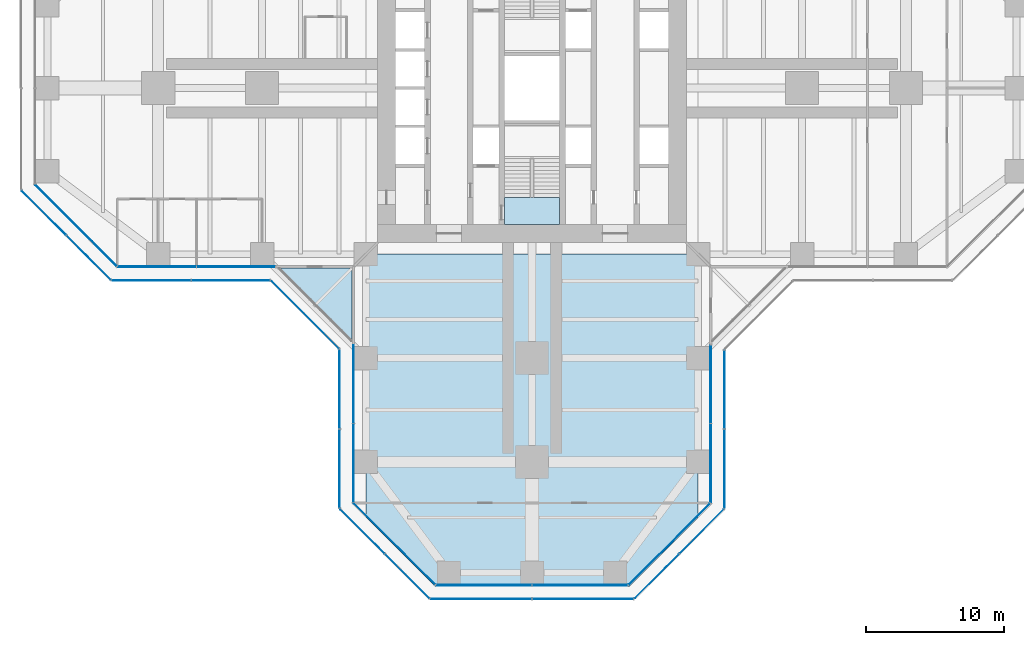
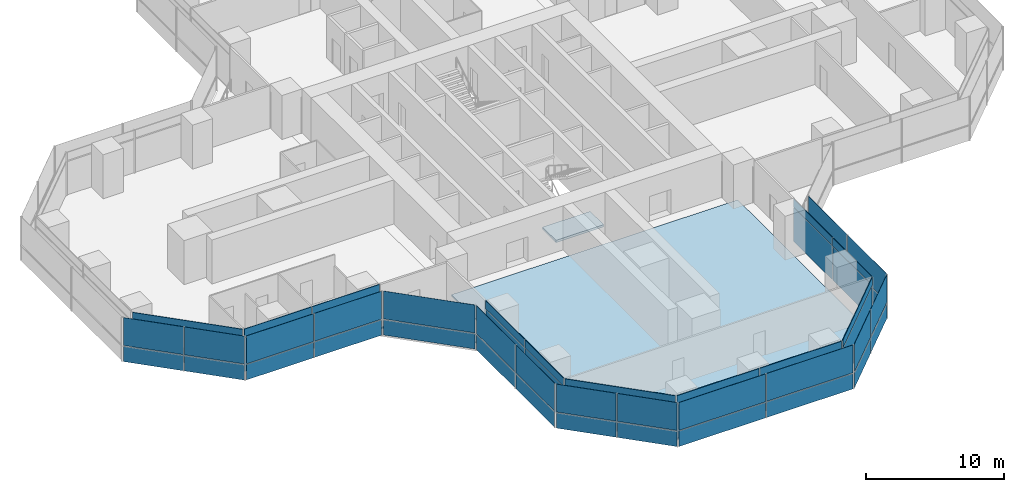
# One storey, part 14 of 22: 52 plates, 3 slabs, 16 elements without a shape of their own.
"""IFC4 building model written with IfcOpenShell, lengths in metres."""

from ifc_helpers import new_model, si_unit, direction, frame, origin, origin_2d, place, context, subcontext, project, spatial, polyline, rectangle, outline, extrude, material, layer, layer_set, type_object, element, aggregate, save


model = new_model("IFC4")

# Units and contexts
model_context = context("Model", 3, precision=1e-05, world=origin(), true_north=direction((0.0, 1.0)))
body_context = subcontext(model_context, "Body", "Model", "MODEL_VIEW")
ifc_project = project(units=[si_unit("LENGTHUNIT", "METRE"), si_unit("AREAUNIT", "SQUARE_METRE"), si_unit("VOLUMEUNIT", "CUBIC_METRE"), si_unit("PLANEANGLEUNIT", "RADIAN"), si_unit("MASSUNIT", "GRAM", prefix="KILO")], contexts=[model_context])

# Site, building, storey
site_placement = place(None, origin())
site = spatial("IfcSite", under=ifc_project, at=site_placement, CompositionType="ELEMENT")
building_placement = place(site_placement, origin())
building = spatial("IfcBuilding", under=site, at=building_placement, Name="Mizan Broadcast Tower", CompositionType="ELEMENT")
storey_placement = place(building_placement, frame((0.0, 0.0, 74.699951171875)))
storey = spatial("IfcBuildingStorey", under=building, at=storey_placement, Name="L15", CompositionType="ELEMENT", Elevation=74.699951171875)

# Slab
ifc_material_1 = material(Name="Concrete C32/40", Category="concrete")
ifc_layer_1 = layer(ifc_material_1, 0.1298828125)
ifc_layer_set_1 = layer_set([ifc_layer_1], Name="Concrete C32/40")
slab_type_1 = type_object("IfcSlabType", Name="COMPOSITE DECK SLAB 130", PredefinedType="FLOOR", material=ifc_layer_set_1)
slab_1_placement = place(storey_placement, frame((0.0, 0.0, -0.1298828125)))
element("IfcSlab", 1, at=slab_1_placement, inside=storey, type_object=slab_type_1, Name="Floor slab L15 south arm", PredefinedType="FLOOR", context=body_context, shape_type="SweptSolid", body=[
    extrude(outline(polyline([(7.0, -36.0), (12.0, -31.0), (12.0, -12.0), (-12.0, -12.0), (-12.0, -31.0), (-7.0, -36.0), (7.0, -36.0)])), origin(), (0.0, 0.0, 1.0), 0.1298828125),
])

# Curtain wall, plate
ifc_material_2 = material(Name="Aluminium framed glazing", Category="aluminium")
curtain_wall_type_1 = type_object("IfcCurtainWallType", Name="INNER SKIN LOW ZONE", PredefinedType="USERDEFINED", material=ifc_material_2)
curtain_wall_1_placement = place(storey_placement, origin())
curtain_wall_1 = element("IfcCurtainWall", 2, at=curtain_wall_1_placement, inside=storey, type_object=curtain_wall_type_1, Name="Inner skin low zone L15 W chamfer", ObjectType="INNER SKIN LOW ZONE", PredefinedType="USERDEFINED")
ifc_material_3 = material(Name="Double glazing, clear low-e", Category="glass")
ifc_layer_2 = layer(ifc_material_3, 0.028076171875)
ifc_layer_set_2 = layer_set([ifc_layer_2], Name="Double glazing, clear low-e")
plate_type_1 = type_object("IfcPlateType", Name="INNER SKIN GLAZING UNIT", PredefinedType="CURTAIN_PANEL", material=ifc_layer_set_2)
plate_1_placement = place(storey_placement, frame((-32.92919921875, -9.92919921875, 0.0), z_axis=(0.0, 0.0, 1.0), x_axis=(0.707106781187, -0.707106781187, 0.0)))
plate_1 = element("IfcPlate", 3, at=plate_1_placement, type_object=plate_type_1, Name="Inner skin low zone L15 W chamfer panel 1.1", PredefinedType="CURTAIN_PANEL", context=body_context, shape_type="SweptSolid", body=[
    extrude(rectangle(XDim=8.282470703125, YDim=0.028076171875, at=origin_2d()), origin(), (0.0, 0.0, 1.0), 3.0),
])

# Curtain wall, plates
curtain_wall_2_placement = place(storey_placement, origin())
curtain_wall_2 = element("IfcCurtainWall", 4, at=curtain_wall_2_placement, inside=storey, type_object=curtain_wall_type_1, Name="Inner skin low zone L15 W side", ObjectType="INNER SKIN LOW ZONE", PredefinedType="USERDEFINED")
plate_2_placement = place(storey_placement, frame((-27.078857421875, -12.89990234375, 0.0), z_axis=(0.0, 0.0, 1.0), x_axis=(1.0, 0.0, 0.0)))
plate_2 = element("IfcPlate", 5, at=plate_2_placement, type_object=plate_type_1, Name="Inner skin low zone L15 W side panel 1.1", PredefinedType="CURTAIN_PANEL", context=body_context, shape_type="SweptSolid", body=[
    extrude(rectangle(XDim=5.639404296875, YDim=0.028076171875, at=origin_2d()), origin(), (0.0, 0.0, 1.0), 3.0),
])
plate_3_placement = place(storey_placement, frame((-21.379638671875, -12.89990234375, 0.0), z_axis=(0.0, 0.0, 1.0), x_axis=(1.0, 0.0, 0.0)))
plate_3 = element("IfcPlate", 6, at=plate_3_placement, type_object=plate_type_1, Name="Inner skin low zone L15 W side panel 2.1", PredefinedType="CURTAIN_PANEL", context=body_context, shape_type="SweptSolid", body=[
    extrude(rectangle(XDim=5.639404296875, YDim=0.028076171875, at=origin_2d()), origin(), (0.0, 0.0, 1.0), 3.0),
])

curtain_wall_3_placement = place(storey_placement, origin())
curtain_wall_3 = element("IfcCurtainWall", 7, at=curtain_wall_3_placement, inside=storey, type_object=curtain_wall_type_1, Name="Inner skin low zone L15 S side", ObjectType="INNER SKIN LOW ZONE", PredefinedType="USERDEFINED")
plate_4_placement = place(storey_placement, frame((-12.89990234375, -21.379638671875, 0.0), z_axis=(0.0, 0.0, 1.0), x_axis=(0.0, -1.0, 0.0)))
plate_4 = element("IfcPlate", 8, at=plate_4_placement, type_object=plate_type_1, Name="Inner skin low zone L15 S side panel 1.1", PredefinedType="CURTAIN_PANEL", context=body_context, shape_type="SweptSolid", body=[
    extrude(rectangle(XDim=5.639404296875, YDim=0.028076171875, at=origin_2d()), origin(), (0.0, 0.0, 1.0), 3.0),
])
plate_5_placement = place(storey_placement, frame((-12.89990234375, -27.078857421875, 0.0), z_axis=(0.0, 0.0, 1.0), x_axis=(0.0, -1.0, 0.0)))
plate_5 = element("IfcPlate", 9, at=plate_5_placement, type_object=plate_type_1, Name="Inner skin low zone L15 S side panel 2.1", PredefinedType="CURTAIN_PANEL", context=body_context, shape_type="SweptSolid", body=[
    extrude(rectangle(XDim=5.639404296875, YDim=0.028076171875, at=origin_2d()), origin(), (0.0, 0.0, 1.0), 3.0),
])

# Curtain wall, plate
curtain_wall_4_placement = place(storey_placement, origin())
curtain_wall_4 = element("IfcCurtainWall", 10, at=curtain_wall_4_placement, inside=storey, type_object=curtain_wall_type_1, Name="Inner skin low zone L15 S chamfer", ObjectType="INNER SKIN LOW ZONE", PredefinedType="USERDEFINED")
plate_6_placement = place(storey_placement, frame((-9.92919921875, -32.92919921875, 0.0), z_axis=(0.0, 0.0, 1.0), x_axis=(0.707106781187, -0.707106781187, 0.0)))
plate_6 = element("IfcPlate", 11, at=plate_6_placement, type_object=plate_type_1, Name="Inner skin low zone L15 S chamfer panel 1.1", PredefinedType="CURTAIN_PANEL", context=body_context, shape_type="SweptSolid", body=[
    extrude(rectangle(XDim=8.282470703125, YDim=0.028076171875, at=origin_2d()), origin(), (0.0, 0.0, 1.0), 3.0),
])

# Curtain wall, plates
curtain_wall_5_placement = place(storey_placement, origin())
curtain_wall_5 = element("IfcCurtainWall", 12, at=curtain_wall_5_placement, inside=storey, type_object=curtain_wall_type_1, Name="Inner skin low zone L15 S end", ObjectType="INNER SKIN LOW ZONE", PredefinedType="USERDEFINED")
plate_7_placement = place(storey_placement, frame((-3.46435546875, -35.89990234375, 0.0), z_axis=(0.0, 0.0, 1.0), x_axis=(1.0, 0.0, 0.0)))
plate_7 = element("IfcPlate", 13, at=plate_7_placement, type_object=plate_type_1, Name="Inner skin low zone L15 S end panel 1.1", PredefinedType="CURTAIN_PANEL", context=body_context, shape_type="SweptSolid", body=[
    extrude(rectangle(XDim=6.86865234375, YDim=0.028076171875, at=origin_2d()), origin(), (0.0, 0.0, 1.0), 3.0),
])
plate_8_placement = place(storey_placement, frame((3.46435546875, -35.89990234375, 0.0), z_axis=(0.0, 0.0, 1.0), x_axis=(1.0, 0.0, 0.0)))
plate_8 = element("IfcPlate", 14, at=plate_8_placement, type_object=plate_type_1, Name="Inner skin low zone L15 S end panel 2.1", PredefinedType="CURTAIN_PANEL", context=body_context, shape_type="SweptSolid", body=[
    extrude(rectangle(XDim=6.86865234375, YDim=0.028076171875, at=origin_2d()), origin(), (0.0, 0.0, 1.0), 3.0),
])

# Curtain wall, plate
curtain_wall_6_placement = place(storey_placement, origin())
curtain_wall_6 = element("IfcCurtainWall", 15, at=curtain_wall_6_placement, inside=storey, type_object=curtain_wall_type_1, Name="Inner skin low zone L15 S chamfer", ObjectType="INNER SKIN LOW ZONE", PredefinedType="USERDEFINED")
plate_9_placement = place(storey_placement, frame((9.92919921875, -32.92919921875, 0.0), z_axis=(0.0, 0.0, 1.0), x_axis=(0.707106781187, 0.707106781187, 0.0)))
plate_9 = element("IfcPlate", 16, at=plate_9_placement, type_object=plate_type_1, Name="Inner skin low zone L15 S chamfer panel 1.1", PredefinedType="CURTAIN_PANEL", context=body_context, shape_type="SweptSolid", body=[
    extrude(rectangle(XDim=8.282470703125, YDim=0.028076171875, at=origin_2d()), origin(), (0.0, 0.0, 1.0), 3.0),
])

# Curtain wall, plates
curtain_wall_7_placement = place(storey_placement, origin())
curtain_wall_7 = element("IfcCurtainWall", 17, at=curtain_wall_7_placement, inside=storey, type_object=curtain_wall_type_1, Name="Inner skin low zone L15 S side", ObjectType="INNER SKIN LOW ZONE", PredefinedType="USERDEFINED")
plate_10_placement = place(storey_placement, frame((12.89990234375, -27.078857421875, 0.0), z_axis=(0.0, 0.0, 1.0), x_axis=(0.0, 1.0, 0.0)))
plate_10 = element("IfcPlate", 18, at=plate_10_placement, type_object=plate_type_1, Name="Inner skin low zone L15 S side panel 1.1", PredefinedType="CURTAIN_PANEL", context=body_context, shape_type="SweptSolid", body=[
    extrude(rectangle(XDim=5.639404296875, YDim=0.028076171875, at=origin_2d()), origin(), (0.0, 0.0, 1.0), 3.0),
])
plate_11_placement = place(storey_placement, frame((12.89990234375, -21.379638671875, 0.0), z_axis=(0.0, 0.0, 1.0), x_axis=(0.0, 1.0, 0.0)))
plate_11 = element("IfcPlate", 19, at=plate_11_placement, type_object=plate_type_1, Name="Inner skin low zone L15 S side panel 2.1", PredefinedType="CURTAIN_PANEL", context=body_context, shape_type="SweptSolid", body=[
    extrude(rectangle(XDim=5.639404296875, YDim=0.028076171875, at=origin_2d()), origin(), (0.0, 0.0, 1.0), 3.0),
])

# Plate
ifc_material_4 = material(Name="Insulated aluminium spandrel panel, pale anodised", Category="aluminium")
ifc_layer_3 = layer(ifc_material_4, 0.050048828125)
ifc_layer_set_3 = layer_set([ifc_layer_3], Name="Insulated aluminium spandrel panel, pale anodised")
plate_type_2 = type_object("IfcPlateType", Name="INNER SKIN SPANDREL PANEL", PredefinedType="CURTAIN_PANEL", material=ifc_layer_set_3)
plate_12_placement = place(storey_placement, frame((-32.92919921875, -9.92919921875, 3.06005859375), z_axis=(0.0, 0.0, 1.0), x_axis=(0.707106781187, -0.707106781187, 0.0)))
plate_12 = element("IfcPlate", 20, at=plate_12_placement, type_object=plate_type_2, Name="Inner skin low zone L15 W chamfer panel 1.2", PredefinedType="CURTAIN_PANEL", context=body_context, shape_type="SweptSolid", body=[
    extrude(rectangle(XDim=8.282470703125, YDim=0.050048828125, at=origin_2d()), origin(), (0.0, 0.0, 1.0), 0.7099609375),
])

aggregate(curtain_wall_1, [plate_1, plate_12])

plate_13_placement = place(storey_placement, frame((-27.078857421875, -12.89990234375, 3.06005859375), z_axis=(0.0, 0.0, 1.0), x_axis=(1.0, 0.0, 0.0)))
plate_13 = element("IfcPlate", 21, at=plate_13_placement, type_object=plate_type_2, Name="Inner skin low zone L15 W side panel 1.2", PredefinedType="CURTAIN_PANEL", context=body_context, shape_type="SweptSolid", body=[
    extrude(rectangle(XDim=5.639404296875, YDim=0.050048828125, at=origin_2d()), origin(), (0.0, 0.0, 1.0), 0.7099609375),
])

plate_14_placement = place(storey_placement, frame((-21.379638671875, -12.89990234375, 3.06005859375), z_axis=(0.0, 0.0, 1.0), x_axis=(1.0, 0.0, 0.0)))
plate_14 = element("IfcPlate", 22, at=plate_14_placement, type_object=plate_type_2, Name="Inner skin low zone L15 W side panel 2.2", PredefinedType="CURTAIN_PANEL", context=body_context, shape_type="SweptSolid", body=[
    extrude(rectangle(XDim=5.639404296875, YDim=0.050048828125, at=origin_2d()), origin(), (0.0, 0.0, 1.0), 0.7099609375),
])

aggregate(curtain_wall_2, [plate_2, plate_13, plate_3, plate_14])

plate_15_placement = place(storey_placement, frame((-12.89990234375, -21.379638671875, 3.06005859375), z_axis=(0.0, 0.0, 1.0), x_axis=(0.0, -1.0, 0.0)))
plate_15 = element("IfcPlate", 23, at=plate_15_placement, type_object=plate_type_2, Name="Inner skin low zone L15 S side panel 1.2", PredefinedType="CURTAIN_PANEL", context=body_context, shape_type="SweptSolid", body=[
    extrude(rectangle(XDim=5.639404296875, YDim=0.050048828125, at=origin_2d()), origin(), (0.0, 0.0, 1.0), 0.7099609375),
])

plate_16_placement = place(storey_placement, frame((-12.89990234375, -27.078857421875, 3.06005859375), z_axis=(0.0, 0.0, 1.0), x_axis=(0.0, -1.0, 0.0)))
plate_16 = element("IfcPlate", 24, at=plate_16_placement, type_object=plate_type_2, Name="Inner skin low zone L15 S side panel 2.2", PredefinedType="CURTAIN_PANEL", context=body_context, shape_type="SweptSolid", body=[
    extrude(rectangle(XDim=5.639404296875, YDim=0.050048828125, at=origin_2d()), origin(), (0.0, 0.0, 1.0), 0.7099609375),
])

aggregate(curtain_wall_3, [plate_4, plate_15, plate_5, plate_16])

plate_17_placement = place(storey_placement, frame((-9.92919921875, -32.92919921875, 3.06005859375), z_axis=(0.0, 0.0, 1.0), x_axis=(0.707106781187, -0.707106781187, 0.0)))
plate_17 = element("IfcPlate", 25, at=plate_17_placement, type_object=plate_type_2, Name="Inner skin low zone L15 S chamfer panel 1.2", PredefinedType="CURTAIN_PANEL", context=body_context, shape_type="SweptSolid", body=[
    extrude(rectangle(XDim=8.282470703125, YDim=0.050048828125, at=origin_2d()), origin(), (0.0, 0.0, 1.0), 0.7099609375),
])

aggregate(curtain_wall_4, [plate_6, plate_17])

plate_18_placement = place(storey_placement, frame((-3.46435546875, -35.89990234375, 3.06005859375), z_axis=(0.0, 0.0, 1.0), x_axis=(1.0, 0.0, 0.0)))
plate_18 = element("IfcPlate", 26, at=plate_18_placement, type_object=plate_type_2, Name="Inner skin low zone L15 S end panel 1.2", PredefinedType="CURTAIN_PANEL", context=body_context, shape_type="SweptSolid", body=[
    extrude(rectangle(XDim=6.86865234375, YDim=0.050048828125, at=origin_2d()), origin(), (0.0, 0.0, 1.0), 0.7099609375),
])

plate_19_placement = place(storey_placement, frame((3.46435546875, -35.89990234375, 3.06005859375), z_axis=(0.0, 0.0, 1.0), x_axis=(1.0, 0.0, 0.0)))
plate_19 = element("IfcPlate", 27, at=plate_19_placement, type_object=plate_type_2, Name="Inner skin low zone L15 S end panel 2.2", PredefinedType="CURTAIN_PANEL", context=body_context, shape_type="SweptSolid", body=[
    extrude(rectangle(XDim=6.86865234375, YDim=0.050048828125, at=origin_2d()), origin(), (0.0, 0.0, 1.0), 0.7099609375),
])

aggregate(curtain_wall_5, [plate_7, plate_18, plate_8, plate_19])

plate_20_placement = place(storey_placement, frame((9.92919921875, -32.92919921875, 3.06005859375), z_axis=(0.0, 0.0, 1.0), x_axis=(0.707106781187, 0.707106781187, 0.0)))
plate_20 = element("IfcPlate", 28, at=plate_20_placement, type_object=plate_type_2, Name="Inner skin low zone L15 S chamfer panel 1.2", PredefinedType="CURTAIN_PANEL", context=body_context, shape_type="SweptSolid", body=[
    extrude(rectangle(XDim=8.282470703125, YDim=0.050048828125, at=origin_2d()), origin(), (0.0, 0.0, 1.0), 0.7099609375),
])

aggregate(curtain_wall_6, [plate_9, plate_20])

plate_21_placement = place(storey_placement, frame((12.89990234375, -27.078857421875, 3.06005859375), z_axis=(0.0, 0.0, 1.0), x_axis=(0.0, 1.0, 0.0)))
plate_21 = element("IfcPlate", 29, at=plate_21_placement, type_object=plate_type_2, Name="Inner skin low zone L15 S side panel 1.2", PredefinedType="CURTAIN_PANEL", context=body_context, shape_type="SweptSolid", body=[
    extrude(rectangle(XDim=5.639404296875, YDim=0.050048828125, at=origin_2d()), origin(), (0.0, 0.0, 1.0), 0.7099609375),
])

plate_22_placement = place(storey_placement, frame((12.89990234375, -21.379638671875, 3.06005859375), z_axis=(0.0, 0.0, 1.0), x_axis=(0.0, 1.0, 0.0)))
plate_22 = element("IfcPlate", 30, at=plate_22_placement, type_object=plate_type_2, Name="Inner skin low zone L15 S side panel 2.2", PredefinedType="CURTAIN_PANEL", context=body_context, shape_type="SweptSolid", body=[
    extrude(rectangle(XDim=5.639404296875, YDim=0.050048828125, at=origin_2d()), origin(), (0.0, 0.0, 1.0), 0.7099609375),
])

aggregate(curtain_wall_7, [plate_10, plate_21, plate_11, plate_22])

# Curtain wall, plates
ifc_material_5 = material(Name="Aluminium framed glazing", Category="aluminium")
curtain_wall_type_2 = type_object("IfcCurtainWallType", Name="OUTER SKIN", PredefinedType="USERDEFINED", material=ifc_material_5)
curtain_wall_8_placement = place(storey_placement, origin())
curtain_wall_8 = element("IfcCurtainWall", 31, at=curtain_wall_8_placement, inside=storey, type_object=curtain_wall_type_2, Name="Outer skin L15 W chamfer", ObjectType="OUTER SKIN", PredefinedType="USERDEFINED")
ifc_material_6 = material(Name="Laminated clear glass", Category="glass")
ifc_layer_4 = layer(ifc_material_6, 0.02001953125)
ifc_layer_set_4 = layer_set([ifc_layer_4], Name="Laminated clear glass")
plate_type_3 = type_object("IfcPlateType", Name="OUTER SKIN CLEAR GLASS", PredefinedType="CURTAIN_PANEL", material=ifc_layer_set_4)
plate_23_placement = place(storey_placement, frame((-35.254150390625, -9.018798828125, 0.0), z_axis=(0.0, 0.0, 1.0), x_axis=(0.707106781187, -0.707106781187, 0.0)))
plate_23 = element("IfcPlate", 32, at=plate_23_placement, type_object=plate_type_3, Name="Outer skin L15 W chamfer panel 1.1", PredefinedType="CURTAIN_PANEL", context=body_context, shape_type="SweptSolid", body=[
    extrude(rectangle(XDim=4.495361328125, YDim=0.02001953125, at=origin_2d()), origin(), (0.0, 0.0, 1.0), 1.3701171875),
])
plate_24_placement = place(storey_placement, frame((-35.254150390625, -9.018798828125, 1.43017578125), z_axis=(0.0, 0.0, 1.0), x_axis=(0.707106781187, -0.707106781187, 0.0)))
plate_24 = element("IfcPlate", 33, at=plate_24_placement, type_object=plate_type_3, Name="Outer skin L15 W chamfer panel 1.2", PredefinedType="CURTAIN_PANEL", context=body_context, shape_type="SweptSolid", body=[
    extrude(rectangle(XDim=4.495361328125, YDim=0.02001953125, at=origin_2d()), origin(), (0.0, 0.0, 1.0), 2.469970703125),
])

curtain_wall_9_placement = place(storey_placement, origin())
curtain_wall_9 = element("IfcCurtainWall", 34, at=curtain_wall_9_placement, inside=storey, type_object=curtain_wall_type_2, Name="Outer skin L15 W side", ObjectType="OUTER SKIN", PredefinedType="USERDEFINED")
plate_25_placement = place(storey_placement, frame((-27.477783203125, -13.89990234375, 0.0), z_axis=(0.0, 0.0, 1.0), x_axis=(1.0, 0.0, 0.0)))
plate_25 = element("IfcPlate", 35, at=plate_25_placement, type_object=plate_type_3, Name="Outer skin L15 W side panel 1.1", PredefinedType="CURTAIN_PANEL", context=body_context, shape_type="SweptSolid", body=[
    extrude(rectangle(XDim=5.6298828125, YDim=0.02001953125, at=origin_2d()), origin(), (0.0, 0.0, 1.0), 1.3701171875),
])
plate_26_placement = place(storey_placement, frame((-27.477783203125, -13.89990234375, 1.43017578125), z_axis=(0.0, 0.0, 1.0), x_axis=(1.0, 0.0, 0.0)))
plate_26 = element("IfcPlate", 36, at=plate_26_placement, type_object=plate_type_3, Name="Outer skin L15 W side panel 1.2", PredefinedType="CURTAIN_PANEL", context=body_context, shape_type="SweptSolid", body=[
    extrude(rectangle(XDim=5.6298828125, YDim=0.02001953125, at=origin_2d()), origin(), (0.0, 0.0, 1.0), 2.469970703125),
])

curtain_wall_10_placement = place(storey_placement, origin())
curtain_wall_10 = element("IfcCurtainWall", 37, at=curtain_wall_10_placement, inside=storey, type_object=curtain_wall_type_2, Name="Outer skin L15 W chamfer", ObjectType="OUTER SKIN", PredefinedType="USERDEFINED")
plate_27_placement = place(storey_placement, frame((-16.386474609375, -16.386474609375, 0.0), z_axis=(0.0, 0.0, 1.0), x_axis=(0.707106781187, -0.707106781187, 0.0)))
plate_27 = element("IfcPlate", 38, at=plate_27_placement, type_object=plate_type_3, Name="Outer skin L15 W chamfer panel 1.1", PredefinedType="CURTAIN_PANEL", context=body_context, shape_type="SweptSolid", body=[
    extrude(rectangle(XDim=6.87255859375, YDim=0.02001953125, at=origin_2d()), origin(), (0.0, 0.0, 1.0), 1.3701171875),
])
plate_28_placement = place(storey_placement, frame((-16.386474609375, -16.386474609375, 1.43017578125), z_axis=(0.0, 0.0, 1.0), x_axis=(0.707106781187, -0.707106781187, 0.0)))
plate_28 = element("IfcPlate", 39, at=plate_28_placement, type_object=plate_type_3, Name="Outer skin L15 W chamfer panel 1.2", PredefinedType="CURTAIN_PANEL", context=body_context, shape_type="SweptSolid", body=[
    extrude(rectangle(XDim=6.87255859375, YDim=0.02001953125, at=origin_2d()), origin(), (0.0, 0.0, 1.0), 2.469970703125),
])
aggregate(curtain_wall_10, [plate_27, plate_28])

curtain_wall_11_placement = place(storey_placement, origin())
curtain_wall_11 = element("IfcCurtainWall", 40, at=curtain_wall_11_placement, inside=storey, type_object=curtain_wall_type_2, Name="Outer skin L15 S side", ObjectType="OUTER SKIN", PredefinedType="USERDEFINED")
plate_29_placement = place(storey_placement, frame((-13.89990234375, -21.767822265625, 0.0), z_axis=(0.0, 0.0, 1.0), x_axis=(0.0, -1.0, 0.0)))
plate_29 = element("IfcPlate", 41, at=plate_29_placement, type_object=plate_type_3, Name="Outer skin L15 S side panel 1.1", PredefinedType="CURTAIN_PANEL", context=body_context, shape_type="SweptSolid", body=[
    extrude(rectangle(XDim=5.6298828125, YDim=0.02001953125, at=origin_2d()), origin(), (0.0, 0.0, 1.0), 1.3701171875),
])
plate_30_placement = place(storey_placement, frame((-13.89990234375, -21.767822265625, 1.43017578125), z_axis=(0.0, 0.0, 1.0), x_axis=(0.0, -1.0, 0.0)))
plate_30 = element("IfcPlate", 42, at=plate_30_placement, type_object=plate_type_3, Name="Outer skin L15 S side panel 1.2", PredefinedType="CURTAIN_PANEL", context=body_context, shape_type="SweptSolid", body=[
    extrude(rectangle(XDim=5.6298828125, YDim=0.02001953125, at=origin_2d()), origin(), (0.0, 0.0, 1.0), 2.469970703125),
])

curtain_wall_12_placement = place(storey_placement, origin())
curtain_wall_12 = element("IfcCurtainWall", 43, at=curtain_wall_12_placement, inside=storey, type_object=curtain_wall_type_2, Name="Outer skin L15 S chamfer", ObjectType="OUTER SKIN", PredefinedType="USERDEFINED")
plate_31_placement = place(storey_placement, frame((-12.254150390625, -32.018798828125, 0.0), z_axis=(0.0, 0.0, 1.0), x_axis=(0.707106781187, -0.707106781187, 0.0)))
plate_31 = element("IfcPlate", 44, at=plate_31_placement, type_object=plate_type_3, Name="Outer skin L15 S chamfer panel 1.1", PredefinedType="CURTAIN_PANEL", context=body_context, shape_type="SweptSolid", body=[
    extrude(rectangle(XDim=4.495361328125, YDim=0.02001953125, at=origin_2d()), origin(), (0.0, 0.0, 1.0), 1.3701171875),
])
plate_32_placement = place(storey_placement, frame((-12.254150390625, -32.018798828125, 1.43017578125), z_axis=(0.0, 0.0, 1.0), x_axis=(0.707106781187, -0.707106781187, 0.0)))
plate_32 = element("IfcPlate", 45, at=plate_32_placement, type_object=plate_type_3, Name="Outer skin L15 S chamfer panel 1.2", PredefinedType="CURTAIN_PANEL", context=body_context, shape_type="SweptSolid", body=[
    extrude(rectangle(XDim=4.495361328125, YDim=0.02001953125, at=origin_2d()), origin(), (0.0, 0.0, 1.0), 2.469970703125),
])

curtain_wall_13_placement = place(storey_placement, origin())
curtain_wall_13 = element("IfcCurtainWall", 46, at=curtain_wall_13_placement, inside=storey, type_object=curtain_wall_type_2, Name="Outer skin L15 S end", ObjectType="OUTER SKIN", PredefinedType="USERDEFINED")
plate_33_placement = place(storey_placement, frame((-3.66650390625, -36.89990234375, 0.0), z_axis=(0.0, 0.0, 1.0), x_axis=(1.0, 0.0, 0.0)))
plate_33 = element("IfcPlate", 47, at=plate_33_placement, type_object=plate_type_3, Name="Outer skin L15 S end panel 1.1", PredefinedType="CURTAIN_PANEL", context=body_context, shape_type="SweptSolid", body=[
    extrude(rectangle(XDim=7.252685546875, YDim=0.02001953125, at=origin_2d()), origin(), (0.0, 0.0, 1.0), 1.3701171875),
])
plate_34_placement = place(storey_placement, frame((-3.66650390625, -36.89990234375, 1.43017578125), z_axis=(0.0, 0.0, 1.0), x_axis=(1.0, 0.0, 0.0)))
plate_34 = element("IfcPlate", 48, at=plate_34_placement, type_object=plate_type_3, Name="Outer skin L15 S end panel 1.2", PredefinedType="CURTAIN_PANEL", context=body_context, shape_type="SweptSolid", body=[
    extrude(rectangle(XDim=7.252685546875, YDim=0.02001953125, at=origin_2d()), origin(), (0.0, 0.0, 1.0), 2.469970703125),
])

curtain_wall_14_placement = place(storey_placement, origin())
curtain_wall_14 = element("IfcCurtainWall", 49, at=curtain_wall_14_placement, inside=storey, type_object=curtain_wall_type_2, Name="Outer skin L15 S chamfer", ObjectType="OUTER SKIN", PredefinedType="USERDEFINED")
plate_35_placement = place(storey_placement, frame((9.018798828125, -35.254150390625, 0.0), z_axis=(0.0, 0.0, 1.0), x_axis=(0.707106781187, 0.707106781187, 0.0)))
plate_35 = element("IfcPlate", 50, at=plate_35_placement, type_object=plate_type_3, Name="Outer skin L15 S chamfer panel 1.1", PredefinedType="CURTAIN_PANEL", context=body_context, shape_type="SweptSolid", body=[
    extrude(rectangle(XDim=4.495361328125, YDim=0.02001953125, at=origin_2d()), origin(), (0.0, 0.0, 1.0), 1.3701171875),
])
plate_36_placement = place(storey_placement, frame((9.018798828125, -35.254150390625, 1.43017578125), z_axis=(0.0, 0.0, 1.0), x_axis=(0.707106781187, 0.707106781187, 0.0)))
plate_36 = element("IfcPlate", 51, at=plate_36_placement, type_object=plate_type_3, Name="Outer skin L15 S chamfer panel 1.2", PredefinedType="CURTAIN_PANEL", context=body_context, shape_type="SweptSolid", body=[
    extrude(rectangle(XDim=4.495361328125, YDim=0.02001953125, at=origin_2d()), origin(), (0.0, 0.0, 1.0), 2.469970703125),
])

curtain_wall_15_placement = place(storey_placement, origin())
curtain_wall_15 = element("IfcCurtainWall", 52, at=curtain_wall_15_placement, inside=storey, type_object=curtain_wall_type_2, Name="Outer skin L15 S side", ObjectType="OUTER SKIN", PredefinedType="USERDEFINED")
plate_37_placement = place(storey_placement, frame((13.89990234375, -27.477783203125, 0.0), z_axis=(0.0, 0.0, 1.0), x_axis=(0.0, 1.0, 0.0)))
plate_37 = element("IfcPlate", 53, at=plate_37_placement, type_object=plate_type_3, Name="Outer skin L15 S side panel 1.1", PredefinedType="CURTAIN_PANEL", context=body_context, shape_type="SweptSolid", body=[
    extrude(rectangle(XDim=5.6298828125, YDim=0.02001953125, at=origin_2d()), origin(), (0.0, 0.0, 1.0), 1.3701171875),
])
plate_38_placement = place(storey_placement, frame((13.89990234375, -27.477783203125, 1.43017578125), z_axis=(0.0, 0.0, 1.0), x_axis=(0.0, 1.0, 0.0)))
plate_38 = element("IfcPlate", 54, at=plate_38_placement, type_object=plate_type_3, Name="Outer skin L15 S side panel 1.2", PredefinedType="CURTAIN_PANEL", context=body_context, shape_type="SweptSolid", body=[
    extrude(rectangle(XDim=5.6298828125, YDim=0.02001953125, at=origin_2d()), origin(), (0.0, 0.0, 1.0), 2.469970703125),
])

# Plate
ifc_material_7 = material(Name="Perforated aluminium, pale anodised", Category="aluminium")
ifc_layer_5 = layer(ifc_material_7, 0.011962890625)
ifc_layer_set_5 = layer_set([ifc_layer_5], Name="Perforated aluminium, pale anodised")
plate_type_4 = type_object("IfcPlateType", Name="OUTER SKIN PERFORATED SCREEN", PredefinedType="USERDEFINED", material=ifc_layer_set_5)
plate_39_placement = place(storey_placement, frame((-32.018798828125, -12.254150390625, 0.0), z_axis=(0.0, 0.0, 1.0), x_axis=(0.707106781187, -0.707106781187, 0.0)))
plate_39 = element("IfcPlate", 55, at=plate_39_placement, type_object=plate_type_4, Name="Outer skin L15 W chamfer panel 2.1", ObjectType="SCREEN", PredefinedType="USERDEFINED", context=body_context, shape_type="SweptSolid", body=[
    extrude(rectangle(XDim=4.495361328125, YDim=0.011962890625, at=origin_2d()), origin(), (0.0, 0.0, 1.0), 1.3701171875),
])

plate_40_placement = place(storey_placement, frame((-32.018798828125, -12.254150390625, 1.43017578125), z_axis=(0.0, 0.0, 1.0), x_axis=(0.707106781187, -0.707106781187, 0.0)))
plate_40 = element("IfcPlate", 56, at=plate_40_placement, type_object=plate_type_4, Name="Outer skin L15 W chamfer panel 2.2", ObjectType="SCREEN", PredefinedType="USERDEFINED", context=body_context, shape_type="SweptSolid", body=[
    extrude(rectangle(XDim=4.495361328125, YDim=0.011962890625, at=origin_2d()), origin(), (0.0, 0.0, 1.0), 2.469970703125),
])

aggregate(curtain_wall_8, [plate_23, plate_24, plate_39, plate_40])

plate_41_placement = place(storey_placement, frame((-21.767822265625, -13.89990234375, 0.0), z_axis=(0.0, 0.0, 1.0), x_axis=(1.0, 0.0, 0.0)))
plate_41 = element("IfcPlate", 57, at=plate_41_placement, type_object=plate_type_4, Name="Outer skin L15 W side panel 2.1", ObjectType="SCREEN", PredefinedType="USERDEFINED", context=body_context, shape_type="SweptSolid", body=[
    extrude(rectangle(XDim=5.6298828125, YDim=0.011962890625, at=origin_2d()), origin(), (0.0, 0.0, 1.0), 1.3701171875),
])

plate_42_placement = place(storey_placement, frame((-21.767822265625, -13.89990234375, 1.43017578125), z_axis=(0.0, 0.0, 1.0), x_axis=(1.0, 0.0, 0.0)))
plate_42 = element("IfcPlate", 58, at=plate_42_placement, type_object=plate_type_4, Name="Outer skin L15 W side panel 2.2", ObjectType="SCREEN", PredefinedType="USERDEFINED", context=body_context, shape_type="SweptSolid", body=[
    extrude(rectangle(XDim=5.6298828125, YDim=0.011962890625, at=origin_2d()), origin(), (0.0, 0.0, 1.0), 2.469970703125),
])

aggregate(curtain_wall_9, [plate_25, plate_26, plate_41, plate_42])

plate_43_placement = place(storey_placement, frame((-13.89990234375, -27.477783203125, 0.0), z_axis=(0.0, 0.0, 1.0), x_axis=(0.0, -1.0, 0.0)))
plate_43 = element("IfcPlate", 59, at=plate_43_placement, type_object=plate_type_4, Name="Outer skin L15 S side panel 2.1", ObjectType="SCREEN", PredefinedType="USERDEFINED", context=body_context, shape_type="SweptSolid", body=[
    extrude(rectangle(XDim=5.6298828125, YDim=0.011962890625, at=origin_2d()), origin(), (0.0, 0.0, 1.0), 1.3701171875),
])

plate_44_placement = place(storey_placement, frame((-13.89990234375, -27.477783203125, 1.43017578125), z_axis=(0.0, 0.0, 1.0), x_axis=(0.0, -1.0, 0.0)))
plate_44 = element("IfcPlate", 60, at=plate_44_placement, type_object=plate_type_4, Name="Outer skin L15 S side panel 2.2", ObjectType="SCREEN", PredefinedType="USERDEFINED", context=body_context, shape_type="SweptSolid", body=[
    extrude(rectangle(XDim=5.6298828125, YDim=0.011962890625, at=origin_2d()), origin(), (0.0, 0.0, 1.0), 2.469970703125),
])

aggregate(curtain_wall_11, [plate_29, plate_30, plate_43, plate_44])

plate_45_placement = place(storey_placement, frame((-9.018798828125, -35.254150390625, 0.0), z_axis=(0.0, 0.0, 1.0), x_axis=(0.707106781187, -0.707106781187, 0.0)))
plate_45 = element("IfcPlate", 61, at=plate_45_placement, type_object=plate_type_4, Name="Outer skin L15 S chamfer panel 2.1", ObjectType="SCREEN", PredefinedType="USERDEFINED", context=body_context, shape_type="SweptSolid", body=[
    extrude(rectangle(XDim=4.495361328125, YDim=0.011962890625, at=origin_2d()), origin(), (0.0, 0.0, 1.0), 1.3701171875),
])

plate_46_placement = place(storey_placement, frame((-9.018798828125, -35.254150390625, 1.43017578125), z_axis=(0.0, 0.0, 1.0), x_axis=(0.707106781187, -0.707106781187, 0.0)))
plate_46 = element("IfcPlate", 62, at=plate_46_placement, type_object=plate_type_4, Name="Outer skin L15 S chamfer panel 2.2", ObjectType="SCREEN", PredefinedType="USERDEFINED", context=body_context, shape_type="SweptSolid", body=[
    extrude(rectangle(XDim=4.495361328125, YDim=0.011962890625, at=origin_2d()), origin(), (0.0, 0.0, 1.0), 2.469970703125),
])

aggregate(curtain_wall_12, [plate_31, plate_32, plate_45, plate_46])

plate_47_placement = place(storey_placement, frame((3.66650390625, -36.89990234375, 0.0), z_axis=(0.0, 0.0, 1.0), x_axis=(1.0, 0.0, 0.0)))
plate_47 = element("IfcPlate", 63, at=plate_47_placement, type_object=plate_type_4, Name="Outer skin L15 S end panel 2.1", ObjectType="SCREEN", PredefinedType="USERDEFINED", context=body_context, shape_type="SweptSolid", body=[
    extrude(rectangle(XDim=7.252685546875, YDim=0.011962890625, at=origin_2d()), origin(), (0.0, 0.0, 1.0), 1.3701171875),
])

plate_48_placement = place(storey_placement, frame((3.66650390625, -36.89990234375, 1.43017578125), z_axis=(0.0, 0.0, 1.0), x_axis=(1.0, 0.0, 0.0)))
plate_48 = element("IfcPlate", 64, at=plate_48_placement, type_object=plate_type_4, Name="Outer skin L15 S end panel 2.2", ObjectType="SCREEN", PredefinedType="USERDEFINED", context=body_context, shape_type="SweptSolid", body=[
    extrude(rectangle(XDim=7.252685546875, YDim=0.011962890625, at=origin_2d()), origin(), (0.0, 0.0, 1.0), 2.469970703125),
])

aggregate(curtain_wall_13, [plate_33, plate_34, plate_47, plate_48])

plate_49_placement = place(storey_placement, frame((12.254150390625, -32.018798828125, 0.0), z_axis=(0.0, 0.0, 1.0), x_axis=(0.707106781187, 0.707106781187, 0.0)))
plate_49 = element("IfcPlate", 65, at=plate_49_placement, type_object=plate_type_4, Name="Outer skin L15 S chamfer panel 2.1", ObjectType="SCREEN", PredefinedType="USERDEFINED", context=body_context, shape_type="SweptSolid", body=[
    extrude(rectangle(XDim=4.495361328125, YDim=0.011962890625, at=origin_2d()), origin(), (0.0, 0.0, 1.0), 1.3701171875),
])

plate_50_placement = place(storey_placement, frame((12.254150390625, -32.018798828125, 1.43017578125), z_axis=(0.0, 0.0, 1.0), x_axis=(0.707106781187, 0.707106781187, 0.0)))
plate_50 = element("IfcPlate", 66, at=plate_50_placement, type_object=plate_type_4, Name="Outer skin L15 S chamfer panel 2.2", ObjectType="SCREEN", PredefinedType="USERDEFINED", context=body_context, shape_type="SweptSolid", body=[
    extrude(rectangle(XDim=4.495361328125, YDim=0.011962890625, at=origin_2d()), origin(), (0.0, 0.0, 1.0), 2.469970703125),
])

aggregate(curtain_wall_14, [plate_35, plate_36, plate_49, plate_50])

plate_51_placement = place(storey_placement, frame((13.89990234375, -21.767822265625, 0.0), z_axis=(0.0, 0.0, 1.0), x_axis=(0.0, 1.0, 0.0)))
plate_51 = element("IfcPlate", 67, at=plate_51_placement, type_object=plate_type_4, Name="Outer skin L15 S side panel 2.1", ObjectType="SCREEN", PredefinedType="USERDEFINED", context=body_context, shape_type="SweptSolid", body=[
    extrude(rectangle(XDim=5.6298828125, YDim=0.011962890625, at=origin_2d()), origin(), (0.0, 0.0, 1.0), 1.3701171875),
])

plate_52_placement = place(storey_placement, frame((13.89990234375, -21.767822265625, 1.43017578125), z_axis=(0.0, 0.0, 1.0), x_axis=(0.0, 1.0, 0.0)))
plate_52 = element("IfcPlate", 68, at=plate_52_placement, type_object=plate_type_4, Name="Outer skin L15 S side panel 2.2", ObjectType="SCREEN", PredefinedType="USERDEFINED", context=body_context, shape_type="SweptSolid", body=[
    extrude(rectangle(XDim=5.6298828125, YDim=0.011962890625, at=origin_2d()), origin(), (0.0, 0.0, 1.0), 2.469970703125),
])

aggregate(curtain_wall_15, [plate_37, plate_38, plate_51, plate_52])

# Stair, slab
ifc_material_8 = material(Name="Concrete C40/50", Category="concrete")
stair_type = type_object("IfcStairType", Name="EXIT STAIR", PredefinedType="HALF_TURN_STAIR", material=ifc_material_8)
stair_placement = place(storey_placement, origin())
stair = element("IfcStair", 69, at=stair_placement, inside=storey, type_object=stair_type, Name="Stair A L15", PredefinedType="HALF_TURN_STAIR")
ifc_material_9 = material(Name="Concrete C40/50", Category="concrete")
ifc_layer_6 = layer(ifc_material_9, 0.199951171875)
ifc_layer_set_6 = layer_set([ifc_layer_6], Name="Concrete C40/50")
slab_type_2 = type_object("IfcSlabType", Name="STAIR LANDING 200", PredefinedType="LANDING", material=ifc_layer_set_6)
slab_2_placement = place(storey_placement, frame((0.0, 0.0, -0.199951171875)))
slab_2 = element("IfcSlab", 70, at=slab_2_placement, type_object=slab_type_2, Name="A landing 1", PredefinedType="LANDING", context=body_context, shape_type="SweptSolid", body=[
    extrude(outline(polyline([(-2.0, -9.85009765625), (-2.0, -7.89990234375), (2.0, -7.89990234375), (2.0, -9.85009765625), (-2.0, -9.85009765625)])), origin(), (0.0, 0.0, 1.0), 0.199951171875),
])
aggregate(stair, [slab_2])

# Slab
ifc_material_10 = material(Name="Concrete C32/40", Category="concrete")
ifc_layer_7 = layer(ifc_material_10, 0.1298828125)
ifc_layer_set_7 = layer_set([ifc_layer_7], Name="Concrete C32/40")
slab_type_3 = type_object("IfcSlabType", Name="WINTER GARDEN SLAB 130", PredefinedType="FLOOR", material=ifc_layer_set_7)
slab_3_placement = place(storey_placement, frame((0.0, 0.0, -0.1298828125)))
element("IfcSlab", 71, at=slab_3_placement, inside=storey, type_object=slab_type_3, Name="Winter garden slab L15 W", PredefinedType="FLOOR", context=body_context, shape_type="SweptSolid", body=[
    extrude(outline(polyline([(-13.0, -13.0), (-18.5, -13.0), (-13.0, -18.5), (-13.0, -13.0)])), origin(), (0.0, 0.0, 1.0), 0.1298828125),
])

save(model, "model.ifc")
